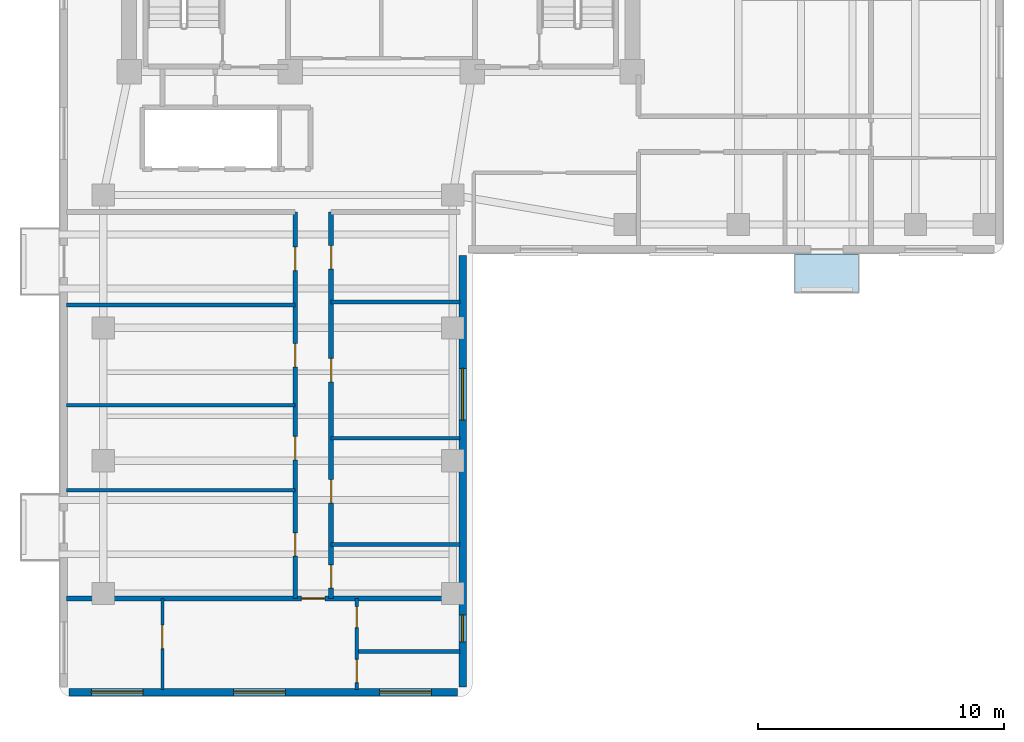
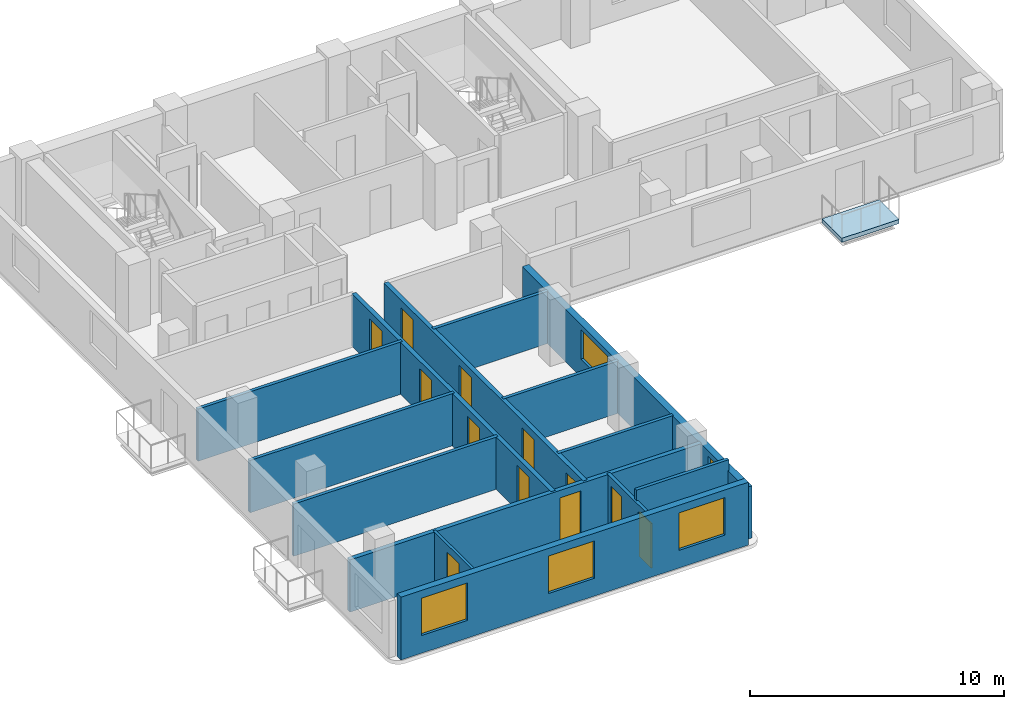
# One storey, part 2 of 7: 14 walls, 12 doors, 5 windows, 1 slab, 17 openings.
"""IFC4 building model written with IfcOpenShell, lengths in metres."""

from ifc_helpers import new_model, si_unit, direction, frame, frame_2d, origin, place, context, subcontext, project, spatial, polyline, rectangle, outline, extrude, material, layer, layer_set, type_object, element, fill, save


model = new_model("IFC4")

# Units and contexts
model_context = context("Model", 3, precision=1e-05, world=origin(), true_north=direction((0.0, 1.0)))
body_context = subcontext(model_context, "Body", "Model", "MODEL_VIEW")
ifc_project = project(units=[si_unit("LENGTHUNIT", "METRE"), si_unit("AREAUNIT", "SQUARE_METRE"), si_unit("VOLUMEUNIT", "CUBIC_METRE"), si_unit("PLANEANGLEUNIT", "RADIAN"), si_unit("MASSUNIT", "GRAM", prefix="KILO")], contexts=[model_context])

# Site, building, storey
site_placement = place(None, origin())
site = spatial("IfcSite", under=ifc_project, at=site_placement, CompositionType="ELEMENT")
building_placement = place(site_placement, origin())
building = spatial("IfcBuilding", under=site, at=building_placement, Name="Kuzgunbayir Cultural Tower", CompositionType="ELEMENT")
storey_placement = place(building_placement, frame((0.0, 0.0, 188.800048828125)))
storey = spatial("IfcBuildingStorey", under=building, at=storey_placement, Name="L55", CompositionType="ELEMENT", Elevation=188.800048828125)

# Slab
ifc_material_1 = material(Name="Concrete C40/50", Category="concrete")
ifc_layer_1 = layer(ifc_material_1, 0.199951171875)
ifc_layer_set_1 = layer_set([ifc_layer_1], Name="Concrete C40/50")
slab_type = type_object("IfcSlabType", Name="SLB-BAL-STONE", PredefinedType="FLOOR", material=ifc_layer_set_1)
slab_placement = place(storey_placement, frame((0.0, 0.0, -0.199951171875)))
element("IfcSlab", 1, at=slab_placement, inside=storey, type_object=slab_type, Name="L55 Projecting Limestone Balcony BAL-L55-WB2", PredefinedType="FLOOR", context=body_context, shape_type="SweptSolid", body=[
    extrude(outline(polyline([(33.5, 24.840087890625), (36.10009765625, 24.840087890625), (36.10009765625, 26.39990234375), (33.5, 26.39990234375), (33.5, 24.840087890625)])), origin(), (0.0, 0.0, 1.0), 0.199951171875),
])

# Wall, openings, windows
ifc_material_2 = material(Name="Anatolian Cream Limestone", Category="masonry")
ifc_layer_2 = layer(ifc_material_2, 0.300048828125)
ifc_layer_set_2 = layer_set([ifc_layer_2], Name="Anatolian Cream Limestone")
wall_type_1 = type_object("IfcWallType", Name="WAL-EXT-STONE-300", PredefinedType="STANDARD", material=ifc_layer_set_2)
wall_1_placement = place(storey_placement, frame((4.0, 8.60009765625, 0.0), z_axis=(0.0, 0.0, 1.0), x_axis=(1.0, 0.0, 0.0)))
wall_1 = element("IfcWall", 2, at=wall_1_placement, inside=storey, type_object=wall_type_1, Name="L55 Wing A South Limestone Wall", PredefinedType="STANDARD", context=body_context, shape_type="SweptSolid", body=[
    extrude(rectangle(XDim=15.800048828125, YDim=0.300048828125, at=frame_2d((7.89990234375, 0.0))), origin(), (0.0, 0.0, 1.0), 3.02001953125),
])
opening_1_placement = place(wall_1_placement, frame((0.919921875, 0.0, 0.85009765625)))
opening_1 = element("IfcOpeningElement", 3, at=opening_1_placement, cuts=wall_1, Name="Opening WR-21", PredefinedType="OPENING", context=body_context, shape_type="SweptSolid", body=[
    extrude(rectangle(XDim=2.10009765625, YDim=1.800048828125, at=frame_2d((1.050048828125, 0.89990234375))), frame((0.0, 0.16015625, 0.0), z_axis=(0.0, -1.0, 0.0), x_axis=(1.0, 0.0, 0.0)), (0.0, 0.0, 1.0), 0.320068359375),
])
opening_2_placement = place(wall_1_placement, frame((6.699951171875, 0.0, 0.85009765625)))
opening_2 = element("IfcOpeningElement", 4, at=opening_2_placement, cuts=wall_1, Name="Opening WR-21", PredefinedType="OPENING", context=body_context, shape_type="SweptSolid", body=[
    extrude(rectangle(XDim=2.10009765625, YDim=1.800048828125, at=frame_2d((1.050048828125, 0.89990234375))), frame((0.0, 0.16015625, 0.0), z_axis=(0.0, -1.0, 0.0), x_axis=(1.0, 0.0, 0.0)), (0.0, 0.0, 1.0), 0.320068359375),
])
opening_3_placement = place(wall_1_placement, frame((12.6298828125, 0.0, 0.85009765625)))
opening_3 = element("IfcOpeningElement", 5, at=opening_3_placement, cuts=wall_1, Name="Opening WR-21", PredefinedType="OPENING", context=body_context, shape_type="SweptSolid", body=[
    extrude(rectangle(XDim=2.10009765625, YDim=1.800048828125, at=frame_2d((1.050048828125, 0.89990234375))), frame((0.0, 0.16015625, 0.0), z_axis=(0.0, -1.0, 0.0), x_axis=(1.0, 0.0, 0.0)), (0.0, 0.0, 1.0), 0.320068359375),
])
ifc_material_3 = material(Name="Solar-Control Triple Glazing", Category="glass")
window_type_1 = type_object("IfcWindowType", Name="WIN-RESID-21", PartitioningType="SINGLE_PANEL", PredefinedType="WINDOW", material=ifc_material_3)
window_1_placement = place(opening_1_placement, origin())
window_1 = element("IfcWindow", 6, at=window_1_placement, inside=storey, type_object=window_type_1, Name="L55 WAS Facade Window 1", OverallHeight=1.800048828125, OverallWidth=2.10009765625, PartitioningType="SINGLE_PANEL", PredefinedType="WINDOW", context=body_context, shape_type="SweptSolid", body=[
    extrude(rectangle(XDim=2.10009765625, YDim=1.800048828125, at=frame_2d((1.050048828125, 0.89990234375))), frame((0.0, 0.030029296875, 0.0), z_axis=(0.0, -1.0, 0.0), x_axis=(1.0, 0.0, 0.0)), (0.0, 0.0, 1.0), 0.06005859375),
])
fill(opening_1, window_1)
window_2_placement = place(opening_2_placement, origin())
window_2 = element("IfcWindow", 7, at=window_2_placement, inside=storey, type_object=window_type_1, Name="L55 WAS Facade Window 2", OverallHeight=1.800048828125, OverallWidth=2.10009765625, PartitioningType="SINGLE_PANEL", PredefinedType="WINDOW", context=body_context, shape_type="SweptSolid", body=[
    extrude(rectangle(XDim=2.10009765625, YDim=1.800048828125, at=frame_2d((1.050048828125, 0.89990234375))), frame((0.0, 0.030029296875, 0.0), z_axis=(0.0, -1.0, 0.0), x_axis=(1.0, 0.0, 0.0)), (0.0, 0.0, 1.0), 0.06005859375),
])
fill(opening_2, window_2)
window_3_placement = place(opening_3_placement, origin())
window_3 = element("IfcWindow", 8, at=window_3_placement, inside=storey, type_object=window_type_1, Name="L55 WAS Facade Window 3", OverallHeight=1.800048828125, OverallWidth=2.10009765625, PartitioningType="SINGLE_PANEL", PredefinedType="WINDOW", context=body_context, shape_type="SweptSolid", body=[
    extrude(rectangle(XDim=2.10009765625, YDim=1.800048828125, at=frame_2d((1.050048828125, 0.89990234375))), frame((0.0, 0.030029296875, 0.0), z_axis=(0.0, -1.0, 0.0), x_axis=(1.0, 0.0, 0.0)), (0.0, 0.0, 1.0), 0.06005859375),
])
fill(opening_3, window_3)

wall_2_placement = place(storey_placement, frame((20.0, 8.800048828125, 0.0), z_axis=(0.0, 0.0, 1.0), x_axis=(0.0, 1.0, 0.0)))
wall_2 = element("IfcWall", 9, at=wall_2_placement, inside=storey, type_object=wall_type_1, Name="L55 Wing A East Limestone Wall", PredefinedType="STANDARD", context=body_context, shape_type="SweptSolid", body=[
    extrude(rectangle(XDim=17.550048828125, YDim=0.300048828125, at=frame_2d((8.77490234375, 0.0))), origin(), (0.0, 0.0, 1.0), 2.510009765625),
])
opening_4_placement = place(wall_2_placement, frame((1.840087890625, 0.0, 0.85009765625)))
opening_4 = element("IfcOpeningElement", 10, at=opening_4_placement, cuts=wall_2, Name="Opening WN-11", PredefinedType="OPENING", context=body_context, shape_type="SweptSolid", body=[
    extrude(rectangle(XDim=1.10009765625, YDim=1.409912109375, at=frame_2d((0.550048828125, 0.705078125))), frame((0.0, 0.16015625, 0.0), z_axis=(0.0, -1.0, 0.0), x_axis=(1.0, 0.0, 0.0)), (0.0, 0.0, 1.0), 0.320068359375),
])
opening_5_placement = place(wall_2_placement, frame((10.85009765625, 0.0, 0.85009765625)))
opening_5 = element("IfcOpeningElement", 11, at=opening_5_placement, cuts=wall_2, Name="Opening WR-21", PredefinedType="OPENING", context=body_context, shape_type="SweptSolid", body=[
    extrude(rectangle(XDim=2.10009765625, YDim=1.409912109375, at=frame_2d((1.050048828125, 0.705078125))), frame((0.0, 0.16015625, 0.0), z_axis=(0.0, -1.0, 0.0), x_axis=(1.0, 0.0, 0.0)), (0.0, 0.0, 1.0), 0.320068359375),
])
window_type_2 = type_object("IfcWindowType", Name="WIN-NARROW-11", PartitioningType="SINGLE_PANEL", PredefinedType="WINDOW", material=ifc_material_3)
window_4_placement = place(opening_4_placement, origin())
window_4 = element("IfcWindow", 12, at=window_4_placement, inside=storey, type_object=window_type_2, Name="L55 WAE Facade Window 4", OverallHeight=1.409912109375, OverallWidth=1.10009765625, PartitioningType="SINGLE_PANEL", PredefinedType="WINDOW", context=body_context, shape_type="SweptSolid", body=[
    extrude(rectangle(XDim=1.10009765625, YDim=1.409912109375, at=frame_2d((0.550048828125, 0.705078125))), frame((0.0, 0.030029296875, 0.0), z_axis=(0.0, -1.0, 0.0), x_axis=(1.0, 0.0, 0.0)), (0.0, 0.0, 1.0), 0.06005859375),
])
fill(opening_4, window_4)
window_5_placement = place(opening_5_placement, origin())
window_5 = element("IfcWindow", 13, at=window_5_placement, inside=storey, type_object=window_type_1, Name="L55 WAE Facade Window 13", OverallHeight=1.409912109375, OverallWidth=2.10009765625, PartitioningType="SINGLE_PANEL", PredefinedType="WINDOW", context=body_context, shape_type="SweptSolid", body=[
    extrude(rectangle(XDim=2.10009765625, YDim=1.409912109375, at=frame_2d((1.050048828125, 0.705078125))), frame((0.0, 0.030029296875, 0.0), z_axis=(0.0, -1.0, 0.0), x_axis=(1.0, 0.0, 0.0)), (0.0, 0.0, 1.0), 0.06005859375),
])
fill(opening_5, window_5)

# Walls
ifc_material_4 = material(Name="Acoustic Double-Stud Drywall", Category="gypsum")
ifc_layer_3 = layer(ifc_material_4, 0.14990234375)
ifc_layer_set_3 = layer_set([ifc_layer_3], Name="Acoustic Double-Stud Drywall")
wall_type_2 = type_object("IfcWallType", Name="WAL-PART-ACOUSTIC-150", PredefinedType="PARTITIONING", material=ifc_layer_set_3)
for number, where, z_axis, x_axis, name in (
    (14, (3.89990234375, 16.800048828125, 0.0), (0.0, 0.0, 1.0), (1.0, 0.0, 0.0), "L55 West Study Partition 1"),
    (15, (3.89990234375, 20.25, 0.0), (0.0, 0.0, 1.0), (1.0, 0.0, 0.0), "L55 West Study Partition 2"),
    (16, (3.89990234375, 24.330078125, 0.0), (0.0, 0.0, 1.0), (1.0, 0.0, 0.0), "L55 West Study Partition 3"),
):
    element("IfcWall", number, at=place(storey_placement, frame(where, z_axis=z_axis, x_axis=x_axis)), inside=storey, type_object=wall_type_2, Name=name, PredefinedType="PARTITIONING", context=body_context, shape_type="SweptSolid", body=[
        extrude(rectangle(XDim=9.300048828125, YDim=0.14990234375, at=frame_2d((4.64990234375, 0.0))), origin(), (0.0, 0.0, 1.0), 2.510009765625),
    ])
for number, where, z_axis, x_axis, name in (
    (17, (14.659912109375, 18.919921875, 0.0), (0.0, 0.0, 1.0), (1.0, 0.0, 0.0), "L55 East Divider 1"),
    (18, (14.659912109375, 24.449951171875, 0.0), (0.0, 0.0, 1.0), (1.0, 0.0, 0.0), "L55 East Divider 2"),
):
    element("IfcWall", number, at=place(storey_placement, frame(where, z_axis=z_axis, x_axis=x_axis)), inside=storey, type_object=wall_type_2, Name=name, PredefinedType="PARTITIONING", context=body_context, shape_type="SweptSolid", body=[
        extrude(rectangle(XDim=5.239990234375, YDim=0.14990234375, at=frame_2d((2.6201171875, 0.0))), origin(), (0.0, 0.0, 1.0), 2.510009765625),
    ])

# Wall, openings, doors
ifc_material_5 = material(Name="Aerated Concrete Blockwork", Category="masonry")
ifc_layer_4 = layer(ifc_material_5, 0.199951171875)
ifc_layer_set_4 = layer_set([ifc_layer_4], Name="Aerated Concrete Blockwork")
wall_type_3 = type_object("IfcWallType", Name="WAL-PART-FIRE-200", PredefinedType="PARTITIONING", material=ifc_layer_set_4)
wall_3_placement = place(storey_placement, frame((13.199951171875, 12.39990234375, 0.0), z_axis=(0.0, 0.0, 1.0), x_axis=(0.0, 1.0, 0.0)))
wall_3 = element("IfcWall", 19, at=wall_3_placement, inside=storey, type_object=wall_type_3, Name="L55 Wing A West Corridor Wall", PredefinedType="PARTITIONING", context=body_context, shape_type="SweptSolid", body=[
    extrude(rectangle(XDim=15.7001953125, YDim=0.199951171875, at=frame_2d((7.85009765625, 0.0))), origin(), (0.0, 0.0, 1.0), 2.510009765625),
])
opening_6_placement = place(wall_3_placement, frame((1.719970703125, 0.0, 0.0)))
opening_6 = element("IfcOpeningElement", 20, at=opening_6_placement, cuts=wall_3, Name="Opening DI-90", PredefinedType="OPENING", context=body_context, shape_type="SweptSolid", body=[
    extrude(rectangle(XDim=0.949951171875, YDim=2.14990234375, at=frame_2d((0.47509765625, 1.074951171875))), frame((0.0, 0.10986328125, 0.0), z_axis=(0.0, -1.0, 0.0), x_axis=(1.0, 0.0, 0.0)), (0.0, 0.0, 1.0), 0.219970703125),
])
opening_7_placement = place(wall_3_placement, frame((5.639892578125, 0.0, 0.0)))
opening_7 = element("IfcOpeningElement", 21, at=opening_7_placement, cuts=wall_3, Name="Opening DI-90", PredefinedType="OPENING", context=body_context, shape_type="SweptSolid", body=[
    extrude(rectangle(XDim=0.949951171875, YDim=2.14990234375, at=frame_2d((0.47509765625, 1.074951171875))), frame((0.0, 0.10986328125, 0.0), z_axis=(0.0, -1.0, 0.0), x_axis=(1.0, 0.0, 0.0)), (0.0, 0.0, 1.0), 0.219970703125),
])
opening_8_placement = place(wall_3_placement, frame((9.409912109375, 0.0, 0.0)))
opening_8 = element("IfcOpeningElement", 22, at=opening_8_placement, cuts=wall_3, Name="Opening DI-90", PredefinedType="OPENING", context=body_context, shape_type="SweptSolid", body=[
    extrude(rectangle(XDim=0.949951171875, YDim=2.14990234375, at=frame_2d((0.47509765625, 1.074951171875))), frame((0.0, 0.10986328125, 0.0), z_axis=(0.0, -1.0, 0.0), x_axis=(1.0, 0.0, 0.0)), (0.0, 0.0, 1.0), 0.219970703125),
])
opening_9_placement = place(wall_3_placement, frame((13.330078125, 0.0, 0.0)))
opening_9 = element("IfcOpeningElement", 23, at=opening_9_placement, cuts=wall_3, Name="Opening DI-90", PredefinedType="OPENING", context=body_context, shape_type="SweptSolid", body=[
    extrude(rectangle(XDim=0.949951171875, YDim=2.14990234375, at=frame_2d((0.47509765625, 1.074951171875))), frame((0.0, 0.10986328125, 0.0), z_axis=(0.0, -1.0, 0.0), x_axis=(1.0, 0.0, 0.0)), (0.0, 0.0, 1.0), 0.219970703125),
])
ifc_material_6 = material(Name="Veneered Oak Single Leaf", Category="wood")
door_type_1 = type_object("IfcDoorType", Name="DR-INT-90", OperationType="NOTDEFINED", PredefinedType="DOOR", material=ifc_material_6)
door_1_placement = place(opening_6_placement, origin())
door_1 = element("IfcDoor", 24, at=door_1_placement, inside=storey, type_object=door_type_1, Name="L55 Seminar Boardroom W1 Door", OperationType="SINGLE_SWING_LEFT", OverallHeight=2.14990234375, OverallWidth=0.949951171875, PredefinedType="DOOR", context=body_context, shape_type="SweptSolid", body=[
    extrude(rectangle(XDim=0.949951171875, YDim=2.14990234375, at=frame_2d((0.47509765625, 1.074951171875))), frame((0.0, 0.02490234375, 0.0), z_axis=(0.0, -1.0, 0.0), x_axis=(1.0, 0.0, 0.0)), (0.0, 0.0, 1.0), 0.050048828125),
])
fill(opening_6, door_1)
door_2_placement = place(opening_7_placement, origin())
door_2 = element("IfcDoor", 25, at=door_2_placement, inside=storey, type_object=door_type_1, Name="L55 Seminar Boardroom W2 Door", OperationType="SINGLE_SWING_RIGHT", OverallHeight=2.14990234375, OverallWidth=0.949951171875, PredefinedType="DOOR", context=body_context, shape_type="SweptSolid", body=[
    extrude(rectangle(XDim=0.949951171875, YDim=2.14990234375, at=frame_2d((0.47509765625, 1.074951171875))), frame((0.0, 0.02490234375, 0.0), z_axis=(0.0, -1.0, 0.0), x_axis=(1.0, 0.0, 0.0)), (0.0, 0.0, 1.0), 0.050048828125),
])
fill(opening_7, door_2)
door_3_placement = place(opening_8_placement, origin())
door_3 = element("IfcDoor", 26, at=door_3_placement, inside=storey, type_object=door_type_1, Name="L55 Seminar Boardroom W3 Door", OperationType="SINGLE_SWING_LEFT", OverallHeight=2.14990234375, OverallWidth=0.949951171875, PredefinedType="DOOR", context=body_context, shape_type="SweptSolid", body=[
    extrude(rectangle(XDim=0.949951171875, YDim=2.14990234375, at=frame_2d((0.47509765625, 1.074951171875))), frame((0.0, 0.02490234375, 0.0), z_axis=(0.0, -1.0, 0.0), x_axis=(1.0, 0.0, 0.0)), (0.0, 0.0, 1.0), 0.050048828125),
])
fill(opening_8, door_3)
door_4_placement = place(opening_9_placement, origin())
door_4 = element("IfcDoor", 27, at=door_4_placement, inside=storey, type_object=door_type_1, Name="L55 Art Publication Salon W4 Door", OperationType="SINGLE_SWING_RIGHT", OverallHeight=2.14990234375, OverallWidth=0.949951171875, PredefinedType="DOOR", context=body_context, shape_type="SweptSolid", body=[
    extrude(rectangle(XDim=0.949951171875, YDim=2.14990234375, at=frame_2d((0.47509765625, 1.074951171875))), frame((0.0, 0.02490234375, 0.0), z_axis=(0.0, -1.0, 0.0), x_axis=(1.0, 0.0, 0.0)), (0.0, 0.0, 1.0), 0.050048828125),
])
fill(opening_9, door_4)

wall_4_placement = place(storey_placement, frame((14.659912109375, 12.39990234375, 0.0), z_axis=(0.0, 0.0, 1.0), x_axis=(0.0, 1.0, 0.0)))
wall_4 = element("IfcWall", 28, at=wall_4_placement, inside=storey, type_object=wall_type_3, Name="L55 Wing A East Corridor Wall", PredefinedType="PARTITIONING", context=body_context, shape_type="SweptSolid", body=[
    extrude(rectangle(XDim=15.7001953125, YDim=0.199951171875, at=frame_2d((7.85009765625, 0.0))), origin(), (0.0, 0.0, 1.0), 2.510009765625),
])
opening_10_placement = place(wall_4_placement, frame((0.419921875, 0.0, 0.0)))
opening_10 = element("IfcOpeningElement", 29, at=opening_10_placement, cuts=wall_4, Name="Opening DW-95", PredefinedType="OPENING", context=body_context, shape_type="SweptSolid", body=[
    extrude(rectangle(XDim=0.949951171875, YDim=2.10009765625, at=frame_2d((0.47509765625, 1.050048828125))), frame((0.0, 0.10986328125, 0.0), z_axis=(0.0, -1.0, 0.0), x_axis=(1.0, 0.0, 0.0)), (0.0, 0.0, 1.0), 0.219970703125),
])
opening_11_placement = place(wall_4_placement, frame((3.8798828125, 0.0, 0.0)))
opening_11 = element("IfcOpeningElement", 30, at=opening_11_placement, cuts=wall_4, Name="Opening DI-90", PredefinedType="OPENING", context=body_context, shape_type="SweptSolid", body=[
    extrude(rectangle(XDim=0.949951171875, YDim=2.14990234375, at=frame_2d((0.47509765625, 1.074951171875))), frame((0.0, 0.10986328125, 0.0), z_axis=(0.0, -1.0, 0.0), x_axis=(1.0, 0.0, 0.0)), (0.0, 0.0, 1.0), 0.219970703125),
])
opening_12_placement = place(wall_4_placement, frame((8.81005859375, 0.0, 0.0)))
opening_12 = element("IfcOpeningElement", 31, at=opening_12_placement, cuts=wall_4, Name="Opening DI-90", PredefinedType="OPENING", context=body_context, shape_type="SweptSolid", body=[
    extrude(rectangle(XDim=0.949951171875, YDim=2.14990234375, at=frame_2d((0.47509765625, 1.074951171875))), frame((0.0, 0.10986328125, 0.0), z_axis=(0.0, -1.0, 0.0), x_axis=(1.0, 0.0, 0.0)), (0.0, 0.0, 1.0), 0.219970703125),
])
opening_13_placement = place(wall_4_placement, frame((13.389892578125, 0.0, 0.0)))
opening_13 = element("IfcOpeningElement", 32, at=opening_13_placement, cuts=wall_4, Name="Opening DI-90", PredefinedType="OPENING", context=body_context, shape_type="SweptSolid", body=[
    extrude(rectangle(XDim=0.949951171875, YDim=2.14990234375, at=frame_2d((0.47509765625, 1.074951171875))), frame((0.0, 0.10986328125, 0.0), z_axis=(0.0, -1.0, 0.0), x_axis=(1.0, 0.0, 0.0)), (0.0, 0.0, 1.0), 0.219970703125),
])
door_5_placement = place(opening_11_placement, origin())
door_5 = element("IfcDoor", 33, at=door_5_placement, inside=storey, type_object=door_type_1, Name="L55 East Seminar Boardroom E1 Door", OperationType="SINGLE_SWING_RIGHT", OverallHeight=2.14990234375, OverallWidth=0.949951171875, PredefinedType="DOOR", context=body_context, shape_type="SweptSolid", body=[
    extrude(rectangle(XDim=0.949951171875, YDim=2.14990234375, at=frame_2d((0.47509765625, 1.074951171875))), frame((0.0, 0.02490234375, 0.0), z_axis=(0.0, -1.0, 0.0), x_axis=(1.0, 0.0, 0.0)), (0.0, 0.0, 1.0), 0.050048828125),
])
fill(opening_11, door_5)
door_6_placement = place(opening_12_placement, origin())
door_6 = element("IfcDoor", 34, at=door_6_placement, inside=storey, type_object=door_type_1, Name="L55 East Curatorial Office E2 Door", OperationType="SINGLE_SWING_LEFT", OverallHeight=2.14990234375, OverallWidth=0.949951171875, PredefinedType="DOOR", context=body_context, shape_type="SweptSolid", body=[
    extrude(rectangle(XDim=0.949951171875, YDim=2.14990234375, at=frame_2d((0.47509765625, 1.074951171875))), frame((0.0, 0.02490234375, 0.0), z_axis=(0.0, -1.0, 0.0), x_axis=(1.0, 0.0, 0.0)), (0.0, 0.0, 1.0), 0.050048828125),
])
fill(opening_12, door_6)
door_7_placement = place(opening_13_placement, origin())
door_7 = element("IfcDoor", 35, at=door_7_placement, inside=storey, type_object=door_type_1, Name="L55 East Seminar Boardroom E3 Door", OperationType="SINGLE_SWING_RIGHT", OverallHeight=2.14990234375, OverallWidth=0.949951171875, PredefinedType="DOOR", context=body_context, shape_type="SweptSolid", body=[
    extrude(rectangle(XDim=0.949951171875, YDim=2.14990234375, at=frame_2d((0.47509765625, 1.074951171875))), frame((0.0, 0.02490234375, 0.0), z_axis=(0.0, -1.0, 0.0), x_axis=(1.0, 0.0, 0.0)), (0.0, 0.0, 1.0), 0.050048828125),
])
fill(opening_13, door_7)
ifc_material_7 = material(Name="Laminate Moisture-Resistant Leaf", Category="wood")
door_type_2 = type_object("IfcDoorType", Name="DR-WET-95", OperationType="NOTDEFINED", PredefinedType="DOOR", material=ifc_material_7)
door_8_placement = place(opening_10_placement, origin())
door_8 = element("IfcDoor", 36, at=door_8_placement, inside=storey, type_object=door_type_2, Name="L55 Visitor Accessible WC Door", OperationType="SINGLE_SWING_LEFT", OverallHeight=2.10009765625, OverallWidth=0.949951171875, PredefinedType="DOOR", context=body_context, shape_type="SweptSolid", body=[
    extrude(rectangle(XDim=0.949951171875, YDim=2.10009765625, at=frame_2d((0.47509765625, 1.050048828125))), frame((0.0, 0.02490234375, 0.0), z_axis=(0.0, -1.0, 0.0), x_axis=(1.0, 0.0, 0.0)), (0.0, 0.0, 1.0), 0.050048828125),
])
fill(opening_10, door_8)

# Wall, opening, door
wall_5_placement = place(storey_placement, frame((3.89990234375, 12.39990234375, 0.0), z_axis=(0.0, 0.0, 1.0), x_axis=(1.0, 0.0, 0.0)))
wall_5 = element("IfcWall", 37, at=wall_5_placement, inside=storey, type_object=wall_type_3, Name="L55 South Cross Partition", PredefinedType="PARTITIONING", context=body_context, shape_type="SweptSolid", body=[
    extrude(rectangle(XDim=16.0, YDim=0.199951171875, at=frame_2d((8.0, 0.0))), origin(), (0.0, 0.0, 1.0), 2.510009765625),
])
opening_14_placement = place(wall_5_placement, frame((9.550048828125, 0.0, 0.0)))
opening_14 = element("IfcOpeningElement", 38, at=opening_14_placement, cuts=wall_5, Name="Opening DR-APT-60", PredefinedType="OPENING", context=body_context, shape_type="SweptSolid", body=[
    extrude(rectangle(XDim=0.949951171875, YDim=2.14990234375, at=frame_2d((0.47509765625, 1.074951171875))), frame((0.0, 0.10986328125, 0.0), z_axis=(0.0, -1.0, 0.0), x_axis=(1.0, 0.0, 0.0)), (0.0, 0.0, 1.0), 0.219970703125),
])
ifc_material_8 = material(Name="Acoustic Fire Timber Leaf", Category="wood")
door_type_3 = type_object("IfcDoorType", Name="DR-APT-60", OperationType="NOTDEFINED", PredefinedType="DOOR", material=ifc_material_8)
door_9_placement = place(opening_14_placement, origin())
door_9 = element("IfcDoor", 39, at=door_9_placement, inside=storey, type_object=door_type_3, Name="L55 Apartment A Entrance", OperationType="SINGLE_SWING_LEFT", OverallHeight=2.14990234375, OverallWidth=0.949951171875, PredefinedType="DOOR", context=body_context, shape_type="SweptSolid", body=[
    extrude(rectangle(XDim=0.949951171875, YDim=2.14990234375, at=frame_2d((0.47509765625, 1.074951171875))), frame((0.0, 0.02490234375, 0.0), z_axis=(0.0, -1.0, 0.0), x_axis=(1.0, 0.0, 0.0)), (0.0, 0.0, 1.0), 0.050048828125),
])
fill(opening_14, door_9)

ifc_material_9 = material(Name="Framed Gypsum Partition", Category="gypsum")
ifc_layer_5 = layer(ifc_material_9, 0.1201171875)
ifc_layer_set_5 = layer_set([ifc_layer_5], Name="Framed Gypsum Partition")
wall_type_4 = type_object("IfcWallType", Name="WAL-PART-INT-120", PredefinedType="PARTITIONING", material=ifc_layer_set_5)
wall_6_placement = place(storey_placement, frame((7.800048828125, 8.699951171875, 0.0), z_axis=(0.0, 0.0, 1.0), x_axis=(0.0, 1.0, 0.0)))
wall_6 = element("IfcWall", 40, at=wall_6_placement, inside=storey, type_object=wall_type_4, Name="L55 Flat A West Bedroom Wall", PredefinedType="PARTITIONING", context=body_context, shape_type="SweptSolid", body=[
    extrude(rectangle(XDim=3.699951171875, YDim=0.1201171875, at=frame_2d((1.85009765625, 0.0))), origin(), (0.0, 0.0, 1.0), 2.510009765625),
])
opening_15_placement = place(wall_6_placement, frame((1.669921875, 0.0, 0.0)))
opening_15 = element("IfcOpeningElement", 41, at=opening_15_placement, cuts=wall_6, Name="Opening DI-90", PredefinedType="OPENING", context=body_context, shape_type="SweptSolid", body=[
    extrude(rectangle(XDim=0.949951171875, YDim=2.14990234375, at=frame_2d((0.47509765625, 1.074951171875))), frame((0.0, 0.070068359375, 0.0), z_axis=(0.0, -1.0, 0.0), x_axis=(1.0, 0.0, 0.0)), (0.0, 0.0, 1.0), 0.14013671875),
])
door_10_placement = place(opening_15_placement, origin())
door_10 = element("IfcDoor", 42, at=door_10_placement, inside=storey, type_object=door_type_1, Name="L55 Apartment A Bedroom Door", OperationType="SINGLE_SWING_RIGHT", OverallHeight=2.14990234375, OverallWidth=0.949951171875, PredefinedType="DOOR", context=body_context, shape_type="SweptSolid", body=[
    extrude(rectangle(XDim=0.949951171875, YDim=2.14990234375, at=frame_2d((0.47509765625, 1.074951171875))), frame((0.0, 0.02490234375, 0.0), z_axis=(0.0, -1.0, 0.0), x_axis=(1.0, 0.0, 0.0)), (0.0, 0.0, 1.0), 0.050048828125),
])
fill(opening_15, door_10)

# Wall, openings, doors
ifc_material_10 = material(Name="Moisture-Resistant Tile Partition", Category="gypsum")
ifc_layer_6 = layer(ifc_material_10, 0.14990234375)
ifc_layer_set_6 = layer_set([ifc_layer_6], Name="Moisture-Resistant Tile Partition")
wall_type_5 = type_object("IfcWallType", Name="WAL-PART-WET-150", PredefinedType="PARTITIONING", material=ifc_layer_set_6)
wall_7_placement = place(storey_placement, frame((15.699951171875, 8.699951171875, 0.0), z_axis=(0.0, 0.0, 1.0), x_axis=(0.0, 1.0, 0.0)))
wall_7 = element("IfcWall", 43, at=wall_7_placement, inside=storey, type_object=wall_type_5, Name="L55 Flat A East Service Wall", PredefinedType="PARTITIONING", context=body_context, shape_type="SweptSolid", body=[
    extrude(rectangle(XDim=3.699951171875, YDim=0.14990234375, at=frame_2d((1.85009765625, 0.0))), origin(), (0.0, 0.0, 1.0), 2.510009765625),
])
opening_16_placement = place(wall_7_placement, frame((0.280029296875, 0.0, 0.0)))
opening_16 = element("IfcOpeningElement", 44, at=opening_16_placement, cuts=wall_7, Name="Opening DI-90", PredefinedType="OPENING", context=body_context, shape_type="SweptSolid", body=[
    extrude(rectangle(XDim=0.949951171875, YDim=2.14990234375, at=frame_2d((0.47509765625, 1.074951171875))), frame((0.0, 0.0849609375, 0.0), z_axis=(0.0, -1.0, 0.0), x_axis=(1.0, 0.0, 0.0)), (0.0, 0.0, 1.0), 0.169921875),
])
opening_17_placement = place(wall_7_placement, frame((2.52001953125, 0.0, 0.0)))
opening_17 = element("IfcOpeningElement", 45, at=opening_17_placement, cuts=wall_7, Name="Opening DW-85", PredefinedType="OPENING", context=body_context, shape_type="SweptSolid", body=[
    extrude(rectangle(XDim=0.85009765625, YDim=2.10009765625, at=frame_2d((0.425048828125, 1.050048828125))), frame((0.0, 0.0849609375, 0.0), z_axis=(0.0, -1.0, 0.0), x_axis=(1.0, 0.0, 0.0)), (0.0, 0.0, 1.0), 0.169921875),
])
door_11_placement = place(opening_16_placement, origin())
door_11 = element("IfcDoor", 46, at=door_11_placement, inside=storey, type_object=door_type_1, Name="L55 Apartment A Kitchen Door", OperationType="SINGLE_SWING_LEFT", OverallHeight=2.14990234375, OverallWidth=0.949951171875, PredefinedType="DOOR", context=body_context, shape_type="SweptSolid", body=[
    extrude(rectangle(XDim=0.949951171875, YDim=2.14990234375, at=frame_2d((0.47509765625, 1.074951171875))), frame((0.0, 0.02490234375, 0.0), z_axis=(0.0, -1.0, 0.0), x_axis=(1.0, 0.0, 0.0)), (0.0, 0.0, 1.0), 0.050048828125),
])
fill(opening_16, door_11)
door_type_4 = type_object("IfcDoorType", Name="DR-WET-85", OperationType="NOTDEFINED", PredefinedType="DOOR", material=ifc_material_7)
door_12_placement = place(opening_17_placement, origin())
door_12 = element("IfcDoor", 47, at=door_12_placement, inside=storey, type_object=door_type_4, Name="L55 Apartment A Bathroom Door", OperationType="SINGLE_SWING_RIGHT", OverallHeight=2.10009765625, OverallWidth=0.85009765625, PredefinedType="DOOR", context=body_context, shape_type="SweptSolid", body=[
    extrude(rectangle(XDim=0.85009765625, YDim=2.10009765625, at=frame_2d((0.425048828125, 1.050048828125))), frame((0.0, 0.02490234375, 0.0), z_axis=(0.0, -1.0, 0.0), x_axis=(1.0, 0.0, 0.0)), (0.0, 0.0, 1.0), 0.050048828125),
])
fill(opening_17, door_12)

# Walls
wall_8_placement = place(storey_placement, frame((15.699951171875, 10.25, 0.0), z_axis=(0.0, 0.0, 1.0), x_axis=(1.0, 0.0, 0.0)))
element("IfcWall", 48, at=wall_8_placement, inside=storey, type_object=wall_type_5, Name="L55 Flat A Bath Kitchen Divider", PredefinedType="PARTITIONING", context=body_context, shape_type="SweptSolid", body=[
    extrude(rectangle(XDim=4.199951171875, YDim=0.14990234375, at=frame_2d((2.10009765625, 0.0))), origin(), (0.0, 0.0, 1.0), 3.02001953125),
])
wall_9_placement = place(storey_placement, frame((14.659912109375, 14.60009765625, 0.0), z_axis=(0.0, 0.0, 1.0), x_axis=(1.0, 0.0, 0.0)))
element("IfcWall", 49, at=wall_9_placement, inside=storey, type_object=wall_type_5, Name="L55 East Accessible WC Wall", PredefinedType="PARTITIONING", context=body_context, shape_type="SweptSolid", body=[
    extrude(rectangle(XDim=5.239990234375, YDim=0.14990234375, at=frame_2d((2.6201171875, 0.0))), origin(), (0.0, 0.0, 1.0), 2.510009765625),
])

save(model, "model.ifc")
